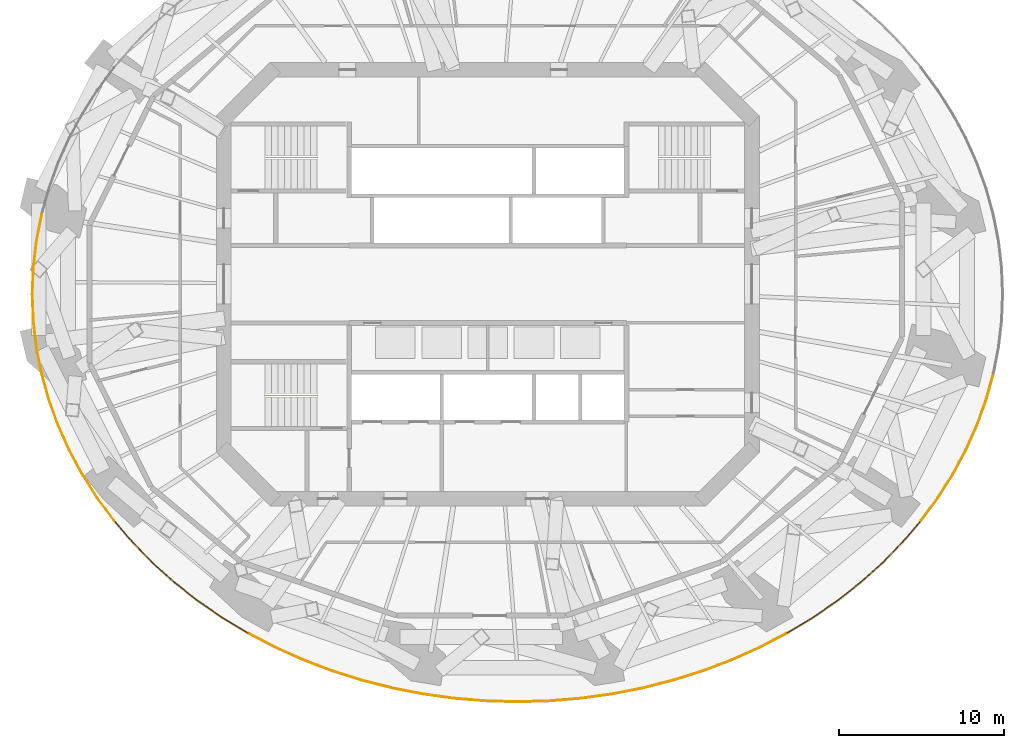
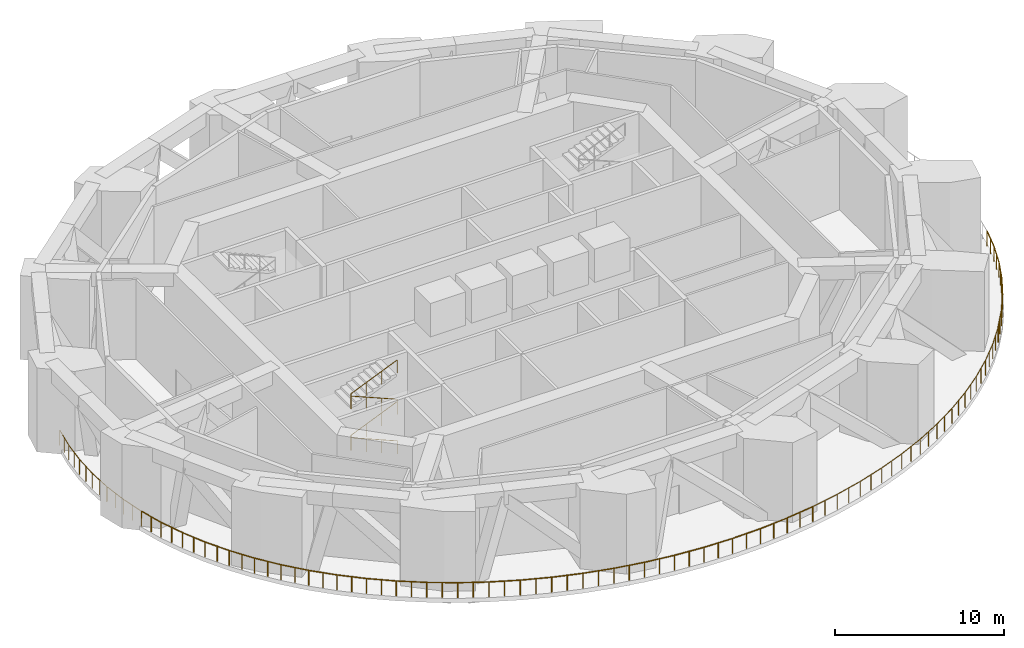
# One storey, part 8 of 11: 9 railings.
"""IFC4 building model written with IfcOpenShell, lengths in metres."""

import ifcopenshell
import ifcopenshell.guid

model = None  # the IFC model being written
_history = None  # IfcOwnerHistory: only IFC2X3 demands one
_inside = {}  # id of a spatial element -> (the spatial element, [elements in it])
_under = {}  # id of a project, library or spatial element -> (it, [spatial elements below it])
_declared = {}  # id of a project -> (the project, [libraries it declares])
_typed = {}  # id of a type object -> (the type object, [elements of that type])
_made_of = {}  # id of a material, layer set ... -> (it, [elements and type objects made of it])


def new_model(schema):
    """Start an empty IFC model of exactly this schema.

    Asked for "IFC4X3", IfcOpenShell would pick the latest addendum, in which some entities
    have other attributes; the version numbers below select the first issue.
    IFC2X3 requires an IfcOwnerHistory on every rooted entity: one is made here for all.
    """
    global model, _history
    if schema == "IFC4X3":
        model = ifcopenshell.file(schema_version=(4, 3, 0, 0))
    else:
        model = ifcopenshell.file(schema=schema)
    _inside.clear()
    _under.clear()
    _declared.clear()
    _typed.clear()
    _made_of.clear()
    _history = None
    if model.schema == "IFC2X3":
        org = make("IfcOrganization", Name="unknown")
        user = make(
            "IfcPersonAndOrganization",
            ThePerson=make("IfcPerson", FamilyName="unknown"),
            TheOrganization=org,
        )
        app = make(
            "IfcApplication",
            ApplicationDeveloper=org,
            Version="unknown",
            ApplicationFullName="unknown",
            ApplicationIdentifier="unknown",
        )
        _history = make(
            "IfcOwnerHistory",
            OwningUser=user,
            OwningApplication=app,
            ChangeAction="ADDED",
            CreationDate=0,
        )
    return model


def make(cls, **values):
    """One entity of the class cls with the attributes given. An attribute that is None is left unset."""
    return model.create_entity(
        cls, **{name: value for name, value in values.items() if value is not None}
    )


def rooted(cls, **values):
    """An entity with a GlobalId (a new one), such as an element, a storey or a relation."""
    return make(cls, GlobalId=ifcopenshell.guid.new(), OwnerHistory=_history, **values)


def si_unit(unit_type, name, prefix=None):
    """IfcSIUnit, for example si_unit("LENGTHUNIT", "METRE", prefix="MILLI")."""
    return make("IfcSIUnit", UnitType=unit_type, Prefix=prefix, Name=name)


def assignment(units):
    """IfcUnitAssignment: the units of a project."""
    return None if units is None else make("IfcUnitAssignment", Units=units)


def point(xyz):
    """IfcCartesianPoint."""
    return None if xyz is None else make("IfcCartesianPoint", Coordinates=xyz)


def direction(xyz):
    """IfcDirection."""
    return None if xyz is None else make("IfcDirection", DirectionRatios=xyz)


def frame(location, z_axis=None, x_axis=None):
    """IfcAxis2Placement3D, a coordinate frame: its origin and axes. An axis left out is left unset."""
    return make(
        "IfcAxis2Placement3D",
        Location=point(location),
        Axis=direction(z_axis),
        RefDirection=direction(x_axis),
    )


def frame_2d(location, x_axis=None):
    """IfcAxis2Placement2D, a coordinate frame in the plane: its origin and x axis."""
    return make(
        "IfcAxis2Placement2D", Location=point(location), RefDirection=direction(x_axis)
    )


def origin():
    """The frame at (0, 0, 0) with its axes left unset."""
    return frame((0.0, 0.0, 0.0))


def origin_2d():
    """The frame at (0, 0) in the plane with its x axis left unset."""
    return frame_2d((0.0, 0.0))


def place(relative_to, where):
    """IfcLocalPlacement: puts the frame where relative to a parent placement (None: the world)."""
    return make(
        "IfcLocalPlacement", PlacementRelTo=relative_to, RelativePlacement=where
    )


def context(
    kind, dimensions, precision=None, world=None, true_north=None, identifier=None
):
    """IfcGeometricRepresentationContext, for example the 3D "Model" context."""
    return make(
        "IfcGeometricRepresentationContext",
        ContextIdentifier=identifier,
        ContextType=kind,
        CoordinateSpaceDimension=dimensions,
        Precision=precision,
        WorldCoordinateSystem=world,
        TrueNorth=true_north,
    )


def subcontext(parent, identifier, kind, view, scale=None):
    """IfcGeometricRepresentationSubContext, for example "Body" below "Model"."""
    return make(
        "IfcGeometricRepresentationSubContext",
        ContextIdentifier=identifier,
        ContextType=kind,
        ParentContext=parent,
        TargetScale=scale,
        TargetView=view,
    )


def project(units=None, contexts=None):
    """IfcProject with its units and contexts."""
    return rooted(
        "IfcProject",
        Name="project",
        RepresentationContexts=contexts,
        UnitsInContext=assignment(units),
    )


def spatial(cls, under=None, at=None, **own):
    """A site, building, storey or space (cls), placed at a placement, below another one or the project."""
    s = rooted(cls, ObjectPlacement=at, **own)
    if under is not None:
        _under.setdefault(under.id(), (under, []))[1].append(s)
    return s


def profile(cls, at=None, kind="AREA", **sizes):
    """A parametric profile (cls). Its sizes go by their IFC names, for example OverallWidth=200.0."""
    return make(cls, ProfileType=kind, Position=at, **sizes)


def circle(**sizes):
    """IfcCircleProfileDef."""
    return profile("IfcCircleProfileDef", **sizes)


def extrude(swept, where, along, depth):
    """IfcExtrudedAreaSolid: the profile swept, set in the frame where, extruded along a direction by depth."""
    return make(
        "IfcExtrudedAreaSolid",
        SweptArea=swept,
        Position=where,
        ExtrudedDirection=direction(along),
        Depth=depth,
    )


def shape(context_of_items, identifier, shape_type, items):
    """IfcShapeRepresentation: the items that make up one representation, for example the "Body"."""
    return make(
        "IfcShapeRepresentation",
        ContextOfItems=context_of_items,
        RepresentationIdentifier=identifier,
        RepresentationType=shape_type,
        Items=items,
    )


def material(Name=None, Category=None):
    """IfcMaterial."""
    return make("IfcMaterial", Name=Name, Category=Category)


def made_of(thing, what):
    """Note that an element or type object is made of a material, layer set ...; save() writes the relation."""
    if what is not None:
        _made_of.setdefault(what.id(), (what, []))[1].append(thing)
    return thing


def type_object(cls, material=None, **own):
    """A type object (cls), such as IfcWallType, which elements share."""
    return made_of(rooted(cls, **own), material)


def element(
    cls,
    number,
    at=None,
    inside=None,
    cuts=None,
    type_object=None,
    material=None,
    context=None,
    identifier="Body",
    shape_type=None,
    held_by="IfcProductDefinitionShape",
    body=None,
    shapes=None,
    **own,
):
    """One element of the class cls, such as IfcWall. Its Tag is "e" and its number.

    at: its placement. inside: the storey or other place that contains it. cuts: it is an
    opening in that element (IfcRelVoidsElement). A single representation is given by context,
    identifier, shape_type and body (its items); several are given by shapes. held_by: the class
    of the entity that holds the representations. save() writes the other relations.
    """
    e = rooted(cls, Tag="e%d" % number, ObjectPlacement=at, **own)
    if body is not None:
        shapes = [shape(context, identifier, shape_type, body)]
    if shapes is not None:
        e.Representation = make(held_by, Representations=shapes)
    if inside is not None:
        _inside.setdefault(inside.id(), (inside, []))[1].append(e)
    if cuts is not None:
        rooted(
            "IfcRelVoidsElement", RelatingBuildingElement=cuts, RelatedOpeningElement=e
        )
    if type_object is not None:
        _typed.setdefault(type_object.id(), (type_object, []))[1].append(e)
    return made_of(e, material)


def aggregate(whole, parts):
    """IfcRelAggregates: a whole, such as a stair, and the parts it consists of."""
    return rooted("IfcRelAggregates", RelatingObject=whole, RelatedObjects=parts)


def save(model, path):
    """Write the relations noted so far, then the file.

    IfcRelAggregates (storeys below a building ...), IfcRelContainedInSpatialStructure (elements
    in a storey), IfcRelDefinesByType, IfcRelAssociatesMaterial and IfcRelDeclares: one each for
    every whole, place, type object, material and project.
    """
    for whole, parts in _under.values():
        aggregate(whole, parts)
    for where, things in _inside.values():
        rooted(
            "IfcRelContainedInSpatialStructure",
            RelatedElements=things,
            RelatingStructure=where,
        )
    for kind, things in _typed.values():
        rooted("IfcRelDefinesByType", RelatedObjects=things, RelatingType=kind)
    for what, things in _made_of.values():
        rooted("IfcRelAssociatesMaterial", RelatedObjects=things, RelatingMaterial=what)
    for by, libraries in _declared.values():
        rooted("IfcRelDeclares", RelatingContext=by, RelatedDefinitions=libraries)
    model.write(path)


model = new_model("IFC4")

# Units and contexts
model_context = context("Model", 3, precision=1e-05, world=origin(), true_north=direction((0.0, 1.0)))
body_context = subcontext(model_context, "Body", "Model", "MODEL_VIEW")
ifc_project = project(units=[si_unit("LENGTHUNIT", "METRE"), si_unit("AREAUNIT", "SQUARE_METRE"), si_unit("VOLUMEUNIT", "CUBIC_METRE"), si_unit("PLANEANGLEUNIT", "RADIAN"), si_unit("MASSUNIT", "GRAM", prefix="KILO")], contexts=[model_context])

# Site, building, storey
site_placement = place(None, origin())
site = spatial("IfcSite", under=ifc_project, at=site_placement, CompositionType="ELEMENT")
building_placement = place(site_placement, origin())
building = spatial("IfcBuilding", under=site, at=building_placement, Name="Marenthal Gate Tower", CompositionType="ELEMENT")
storey_placement = place(building_placement, frame((0.0, 0.0, 273.10009765625)))
storey = spatial("IfcBuildingStorey", under=building, at=storey_placement, Name="L61", CompositionType="ELEMENT", Elevation=273.10009765625)

# Railings
ifc_material_1 = material(Name="Stainless steel", Category="steel")
railing_type_1 = type_object("IfcRailingType", Name="Balcony guard 1100", PredefinedType="GUARDRAIL", material=ifc_material_1)
railing_1_placement = place(storey_placement, frame((-27.03662109375, 4.217529296875, 0.0)))
element("IfcRailing", 1, at=railing_1_placement, inside=storey, type_object=railing_type_1, Name="Refuge band guard L61 bay 8", PredefinedType="GUARDRAIL", context=body_context, shape_type="SweptSolid", body=[
    extrude(circle(Radius=0.02392578125, at=origin_2d()), frame((0.0, 0.0, 1.076171875), z_axis=(-0.19276338682, -0.981245268372, 0.0), x_axis=(0.981245268372, -0.19276338682, 0.0)), (0.0, 0.0, 1.0), 1.625),
    extrude(circle(Radius=0.02392578125, at=origin_2d()), frame((-0.313232421875, -1.594482421875, 1.076171875), z_axis=(-0.116255070657, -0.993219390944, 0.0), x_axis=(0.993219390944, -0.116255070657, 0.0)), (0.0, 0.0, 1.0), 1.619140625),
    extrude(circle(Radius=0.02392578125, at=origin_2d()), frame((-0.50146484375, -3.20263671875, 1.076171875), z_axis=(-0.038972636701, -0.999240278206, 0.0), x_axis=(0.999240278206, -0.038972636701, 0.0)), (0.0, 0.0, 1.0), 1.6162109375),
    extrude(circle(Radius=0.02392578125, at=origin_2d()), frame((-0.564453125, -4.817626953125, 1.076171875), z_axis=(0.038972636701, -0.999240278206, 0.0), x_axis=(0.999240278206, 0.038972636701, 0.0)), (0.0, 0.0, 1.0), 1.6162109375),
    extrude(circle(Radius=0.02392578125, at=origin_2d()), frame((-0.50146484375, -6.4326171875, 1.076171875), z_axis=(0.116255070657, -0.993219390944, 0.0), x_axis=(0.993219390944, 0.116255070657, 0.0)), (0.0, 0.0, 1.0), 1.619140625),
    extrude(circle(Radius=0.02392578125, at=origin_2d()), frame((-0.313232421875, -8.040771484375, 1.076171875), z_axis=(0.192791809355, -0.981239684402, 0.0), x_axis=(0.981239684402, 0.192791809355, 0.0)), (0.0, 0.0, 1.0), 1.624755859375),
    extrude(circle(Radius=0.02099609375, at=origin_2d()), origin(), (0.0, 0.0, 1.0), 1.052001953125),
    extrude(circle(Radius=0.02099609375, at=origin_2d()), frame((-0.15673828125, -0.79736328125, 0.0)), (0.0, 0.0, 1.0), 1.052001953125),
    extrude(circle(Radius=0.02099609375, at=origin_2d()), frame((-0.313232421875, -1.594482421875, 0.0)), (0.0, 0.0, 1.0), 1.052001953125),
    extrude(circle(Radius=0.02099609375, at=origin_2d()), frame((-0.4072265625, -2.3984375, 0.0)), (0.0, 0.0, 1.0), 1.052001953125),
    extrude(circle(Radius=0.02099609375, at=origin_2d()), frame((-0.50146484375, -3.20263671875, 0.0)), (0.0, 0.0, 1.0), 1.052001953125),
    extrude(circle(Radius=0.02099609375, at=origin_2d()), frame((-0.532958984375, -4.01025390625, 0.0)), (0.0, 0.0, 1.0), 1.052001953125),
    extrude(circle(Radius=0.02099609375, at=origin_2d()), frame((-0.564453125, -4.817626953125, 0.0)), (0.0, 0.0, 1.0), 1.052001953125),
    extrude(circle(Radius=0.02099609375, at=origin_2d()), frame((-0.532958984375, -5.625, 0.0)), (0.0, 0.0, 1.0), 1.052001953125),
    extrude(circle(Radius=0.02099609375, at=origin_2d()), frame((-0.50146484375, -6.4326171875, 0.0)), (0.0, 0.0, 1.0), 1.052001953125),
    extrude(circle(Radius=0.02099609375, at=origin_2d()), frame((-0.4072265625, -7.23681640625, 0.0)), (0.0, 0.0, 1.0), 1.052001953125),
    extrude(circle(Radius=0.02099609375, at=origin_2d()), frame((-0.313232421875, -8.040771484375, 0.0)), (0.0, 0.0, 1.0), 1.052001953125),
    extrude(circle(Radius=0.02099609375, at=origin_2d()), frame((-0.15673828125, -8.837890625, 0.0)), (0.0, 0.0, 1.0), 1.052001953125),
    extrude(circle(Radius=0.02099609375, at=origin_2d()), frame((0.0, -9.635009765625, 0.0)), (0.0, 0.0, 1.0), 1.052001953125),
])
railing_2_placement = place(storey_placement, frame((-27.03662109375, -5.41748046875, 0.0)))
element("IfcRailing", 2, at=railing_2_placement, inside=storey, type_object=railing_type_1, Name="Refuge band guard L61 bay 9", PredefinedType="GUARDRAIL", context=body_context, shape_type="SweptSolid", body=[
    extrude(circle(Radius=0.02392578125, at=origin_2d()), frame((0.0, 0.0, 1.076171875), z_axis=(0.267150361513, -0.963654857479, 0.0), x_axis=(0.963654857479, 0.267150361513, 0.0)), (0.0, 0.0, 1.0), 1.633056640625),
    extrude(circle(Radius=0.02392578125, at=origin_2d()), frame((0.436279296875, -1.57373046875, 1.076171875), z_axis=(0.339429181745, -0.940631612578, 0.0), x_axis=(0.940631612578, 0.339429181745, 0.0)), (0.0, 0.0, 1.0), 1.644287109375),
    extrude(circle(Radius=0.02392578125, at=origin_2d()), frame((0.994384765625, -3.120361328125, 1.076171875), z_axis=(0.408501723837, -0.912757548105, 0.0), x_axis=(0.912757548105, 0.408501723837, 0.0)), (0.0, 0.0, 1.0), 1.6572265625),
    extrude(circle(Radius=0.02392578125, at=origin_2d()), frame((1.67138671875, -4.633056640625, 1.076171875), z_axis=(0.474387041335, -0.880316383474, 0.0), x_axis=(0.880316383474, 0.474387041335, 0.0)), (0.0, 0.0, 1.0), 1.672607421875),
    extrude(circle(Radius=0.02392578125, at=origin_2d()), frame((2.46484375, -6.10546875, 1.076171875), z_axis=(0.536529496413, -0.843881567211, 0.0), x_axis=(0.843881567211, 0.536529496413, 0.0)), (0.0, 0.0, 1.0), 1.689453125),
    extrude(circle(Radius=0.02392578125, at=origin_2d()), frame((3.371337890625, -7.53125, 1.076171875), z_axis=(0.594588012237, -0.804030531575, 0.0), x_axis=(0.804030531575, 0.594588012237, 0.0)), (0.0, 0.0, 1.0), 1.707763671875),
    extrude(circle(Radius=0.02099609375, at=origin_2d()), origin(), (0.0, 0.0, 1.0), 1.052001953125),
    extrude(circle(Radius=0.02099609375, at=origin_2d()), frame((0.21826171875, -0.786865234375, 0.0)), (0.0, 0.0, 1.0), 1.052001953125),
    extrude(circle(Radius=0.02099609375, at=origin_2d()), frame((0.436279296875, -1.57373046875, 0.0)), (0.0, 0.0, 1.0), 1.052001953125),
    extrude(circle(Radius=0.02099609375, at=origin_2d()), frame((0.71533203125, -2.34716796875, 0.0)), (0.0, 0.0, 1.0), 1.052001953125),
    extrude(circle(Radius=0.02099609375, at=origin_2d()), frame((0.994384765625, -3.120361328125, 0.0)), (0.0, 0.0, 1.0), 1.052001953125),
    extrude(circle(Radius=0.02099609375, at=origin_2d()), frame((1.3330078125, -3.876708984375, 0.0)), (0.0, 0.0, 1.0), 1.052001953125),
    extrude(circle(Radius=0.02099609375, at=origin_2d()), frame((1.67138671875, -4.633056640625, 0.0)), (0.0, 0.0, 1.0), 1.052001953125),
    extrude(circle(Radius=0.02099609375, at=origin_2d()), frame((2.068115234375, -5.369140625, 0.0)), (0.0, 0.0, 1.0), 1.052001953125),
    extrude(circle(Radius=0.02099609375, at=origin_2d()), frame((2.46484375, -6.10546875, 0.0)), (0.0, 0.0, 1.0), 1.052001953125),
    extrude(circle(Radius=0.02099609375, at=origin_2d()), frame((2.91796875, -6.818359375, 0.0)), (0.0, 0.0, 1.0), 1.052001953125),
    extrude(circle(Radius=0.02099609375, at=origin_2d()), frame((3.371337890625, -7.53125, 0.0)), (0.0, 0.0, 1.0), 1.052001953125),
    extrude(circle(Radius=0.02099609375, at=origin_2d()), frame((3.87890625, -8.2177734375, 0.0)), (0.0, 0.0, 1.0), 1.052001953125),
    extrude(circle(Radius=0.02099609375, at=origin_2d()), frame((4.38671875, -8.904296875, 0.0)), (0.0, 0.0, 1.0), 1.052001953125),
])
railing_3_placement = place(storey_placement, frame((-22.64990234375, -14.32177734375, 0.0)))
element("IfcRailing", 3, at=railing_3_placement, inside=storey, type_object=railing_type_1, Name="Refuge band guard L61 bay 10", PredefinedType="GUARDRAIL", context=body_context, shape_type="SweptSolid", body=[
    extrude(circle(Radius=0.02392578125, at=origin_2d()), frame((0.0, 0.0, 1.076171875), z_axis=(0.648669742199, -0.76107001357, 0.0), x_axis=(0.76107001357, 0.648669742199, 0.0)), (0.0, 0.0, 1.0), 1.726806640625),
    extrude(circle(Radius=0.02392578125, at=origin_2d()), frame((1.1201171875, -1.314208984375, 1.076171875), z_axis=(0.698460052114, -0.715649044994, 0.0), x_axis=(0.715649044994, 0.698460052114, 0.0)), (0.0, 0.0, 1.0), 1.7470703125),
    extrude(circle(Radius=0.02392578125, at=origin_2d()), frame((2.34033203125, -2.564453125, 1.076171875), z_axis=(0.744145420954, -0.668017658803, 0.0), x_axis=(0.668017658803, 0.744145420954, 0.0)), (0.0, 0.0, 1.0), 1.76708984375),
    extrude(circle(Radius=0.02392578125, at=origin_2d()), frame((3.6552734375, -3.744873046875, 1.076171875), z_axis=(0.785644616211, -0.618678056035, 0.0), x_axis=(0.618678056035, 0.785644616211, 0.0)), (0.0, 0.0, 1.0), 1.786865234375),
    extrude(circle(Radius=0.02392578125, at=origin_2d()), frame((5.05908203125, -4.850341796875, 1.076171875), z_axis=(0.823047274308, -0.567972872815, 0.0), x_axis=(0.567972872815, 0.823047274308, 0.0)), (0.0, 0.0, 1.0), 1.80712890625),
    extrude(circle(Radius=0.02392578125, at=origin_2d()), frame((6.54638671875, -5.876708984375, 1.076171875), z_axis=(0.856524003828, -0.516107189319, 0.0), x_axis=(0.516107189319, 0.856524003828, 0.0)), (0.0, 0.0, 1.0), 1.825927734375),
    extrude(circle(Radius=0.02099609375, at=origin_2d()), origin(), (0.0, 0.0, 1.0), 1.052001953125),
    extrude(circle(Radius=0.02099609375, at=origin_2d()), frame((0.56005859375, -0.6572265625, 0.0)), (0.0, 0.0, 1.0), 1.052001953125),
    extrude(circle(Radius=0.02099609375, at=origin_2d()), frame((1.1201171875, -1.314208984375, 0.0)), (0.0, 0.0, 1.0), 1.052001953125),
    extrude(circle(Radius=0.02099609375, at=origin_2d()), frame((1.730224609375, -1.939453125, 0.0)), (0.0, 0.0, 1.0), 1.052001953125),
    extrude(circle(Radius=0.02099609375, at=origin_2d()), frame((2.34033203125, -2.564453125, 0.0)), (0.0, 0.0, 1.0), 1.052001953125),
    extrude(circle(Radius=0.02099609375, at=origin_2d()), frame((2.997802734375, -3.15478515625, 0.0)), (0.0, 0.0, 1.0), 1.052001953125),
    extrude(circle(Radius=0.02099609375, at=origin_2d()), frame((3.6552734375, -3.744873046875, 0.0)), (0.0, 0.0, 1.0), 1.052001953125),
    extrude(circle(Radius=0.02099609375, at=origin_2d()), frame((4.357177734375, -4.297607421875, 0.0)), (0.0, 0.0, 1.0), 1.052001953125),
    extrude(circle(Radius=0.02099609375, at=origin_2d()), frame((5.05908203125, -4.850341796875, 0.0)), (0.0, 0.0, 1.0), 1.052001953125),
    extrude(circle(Radius=0.02099609375, at=origin_2d()), frame((5.802734375, -5.363525390625, 0.0)), (0.0, 0.0, 1.0), 1.052001953125),
    extrude(circle(Radius=0.02099609375, at=origin_2d()), frame((6.54638671875, -5.876708984375, 0.0)), (0.0, 0.0, 1.0), 1.052001953125),
    extrude(circle(Radius=0.02099609375, at=origin_2d()), frame((7.328369140625, -6.347900390625, 0.0)), (0.0, 0.0, 1.0), 1.052001953125),
    extrude(circle(Radius=0.02099609375, at=origin_2d()), frame((8.1103515625, -6.819091796875, 0.0)), (0.0, 0.0, 1.0), 1.052001953125),
])
railing_4_placement = place(storey_placement, frame((-14.53955078125, -21.140869140625, 0.0)))
element("IfcRailing", 4, at=railing_4_placement, inside=storey, type_object=railing_type_1, Name="Refuge band guard L61 bay 11", PredefinedType="GUARDRAIL", context=body_context, shape_type="SweptSolid", body=[
    extrude(circle(Radius=0.02392578125, at=origin_2d()), frame((0.0, 0.0, 1.076171875), z_axis=(0.886204440457, -0.463294387742, 0.0), x_axis=(0.463294387742, 0.886204440457, 0.0)), (0.0, 0.0, 1.0), 1.84375),
    extrude(circle(Radius=0.02392578125, at=origin_2d()), frame((1.634033203125, -0.854248046875, 1.076171875), z_axis=(0.912115369932, -0.409933594543, 0.0), x_axis=(0.409933594543, 0.912115369932, 0.0)), (0.0, 0.0, 1.0), 1.860595703125),
    extrude(circle(Radius=0.02392578125, at=origin_2d()), frame((3.3310546875, -1.616943359375, 1.076171875), z_axis=(0.93449804368, -0.355968265942, 0.0), x_axis=(0.355968265942, 0.93449804368, 0.0)), (0.0, 0.0, 1.0), 1.875732421875),
    extrude(circle(Radius=0.02392578125, at=origin_2d()), frame((5.083984375, -2.28466796875, 1.076171875), z_axis=(0.953381272328, -0.301768370731, 0.0), x_axis=(0.301768370731, 0.953381272328, 0.0)), (0.0, 0.0, 1.0), 1.88916015625),
    extrude(circle(Radius=0.02392578125, at=origin_2d()), frame((6.885009765625, -2.854736328125, 1.076171875), z_axis=(0.968991024399, -0.247095921928, 0.0), x_axis=(0.247095921928, 0.968991024399, 0.0)), (0.0, 0.0, 1.0), 1.90087890625),
    extrude(circle(Radius=0.02392578125, at=origin_2d()), frame((8.72705078125, -3.324462890625, 1.076171875), z_axis=(0.981320847829, -0.192378256608, 0.0), x_axis=(0.192378256608, 0.981320847829, 0.0)), (0.0, 0.0, 1.0), 1.909912109375),
    extrude(circle(Radius=0.02099609375, at=origin_2d()), origin(), (0.0, 0.0, 1.0), 1.052001953125),
    extrude(circle(Radius=0.02099609375, at=origin_2d()), frame((0.81689453125, -0.42724609375, 0.0)), (0.0, 0.0, 1.0), 1.052001953125),
    extrude(circle(Radius=0.02099609375, at=origin_2d()), frame((1.634033203125, -0.854248046875, 0.0)), (0.0, 0.0, 1.0), 1.052001953125),
    extrude(circle(Radius=0.02099609375, at=origin_2d()), frame((2.482421875, -1.235595703125, 0.0)), (0.0, 0.0, 1.0), 1.052001953125),
    extrude(circle(Radius=0.02099609375, at=origin_2d()), frame((3.3310546875, -1.616943359375, 0.0)), (0.0, 0.0, 1.0), 1.052001953125),
    extrude(circle(Radius=0.02099609375, at=origin_2d()), frame((4.20751953125, -1.95068359375, 0.0)), (0.0, 0.0, 1.0), 1.052001953125),
    extrude(circle(Radius=0.02099609375, at=origin_2d()), frame((5.083984375, -2.28466796875, 0.0)), (0.0, 0.0, 1.0), 1.052001953125),
    extrude(circle(Radius=0.02099609375, at=origin_2d()), frame((5.984375, -2.56982421875, 0.0)), (0.0, 0.0, 1.0), 1.052001953125),
    extrude(circle(Radius=0.02099609375, at=origin_2d()), frame((6.885009765625, -2.854736328125, 0.0)), (0.0, 0.0, 1.0), 1.052001953125),
    extrude(circle(Radius=0.02099609375, at=origin_2d()), frame((7.80615234375, -3.089599609375, 0.0)), (0.0, 0.0, 1.0), 1.052001953125),
    extrude(circle(Radius=0.02099609375, at=origin_2d()), frame((8.72705078125, -3.324462890625, 0.0)), (0.0, 0.0, 1.0), 1.052001953125),
    extrude(circle(Radius=0.02099609375, at=origin_2d()), frame((9.6640625, -3.50830078125, 0.0)), (0.0, 0.0, 1.0), 1.052001953125),
    extrude(circle(Radius=0.02099609375, at=origin_2d()), frame((10.601318359375, -3.69189453125, 0.0)), (0.0, 0.0, 1.0), 1.052001953125),
])
railing_5_placement = place(storey_placement, frame((-3.938232421875, -24.832763671875, 0.0)))
element("IfcRailing", 5, at=railing_5_placement, inside=storey, type_object=railing_type_1, Name="Refuge band guard L61 bay 12", PredefinedType="GUARDRAIL", context=body_context, shape_type="SweptSolid", body=[
    extrude(circle(Radius=0.02392578125, at=origin_2d()), frame((0.0, 0.0, 1.076171875), z_axis=(0.99049709263, -0.137533666758, 0.0), x_axis=(0.137533666758, 0.99049709263, 0.0)), (0.0, 0.0, 1.0), 1.917236328125),
    extrude(circle(Radius=0.02392578125, at=origin_2d()), frame((1.89892578125, -0.263671875, 1.076171875), z_axis=(0.996585936406, -0.082561924377, 0.0), x_axis=(0.082561924377, 0.996585936406, 0.0)), (0.0, 0.0, 1.0), 1.922119140625),
    extrude(circle(Radius=0.02392578125, at=origin_2d()), frame((3.814453125, -0.42236328125, 1.076171875), z_axis=(0.999621042843, -0.027527635317, 0.0), x_axis=(0.027527635317, 0.999621042843, 0.0)), (0.0, 0.0, 1.0), 1.924560546875),
    extrude(circle(Radius=0.02392578125, at=origin_2d()), frame((5.73828125, -0.475341796875, 1.076171875), z_axis=(0.999620946697, 0.027531126467, 0.0), x_axis=(-0.027531126467, 0.999620946697, 0.0)), (0.0, 0.0, 1.0), 1.92431640625),
    extrude(circle(Radius=0.02392578125, at=origin_2d()), frame((7.661865234375, -0.42236328125, 1.076171875), z_axis=(0.996585936406, 0.082561924377, 0.0), x_axis=(-0.082561924377, 0.996585936406, 0.0)), (0.0, 0.0, 1.0), 1.922119140625),
    extrude(circle(Radius=0.02392578125, at=origin_2d()), frame((9.577392578125, -0.263671875, 1.076171875), z_axis=(0.990499500988, 0.137516321001, 0.0), x_axis=(-0.137516321001, 0.990499500988, 0.0)), (0.0, 0.0, 1.0), 1.91748046875),
    extrude(circle(Radius=0.02099609375, at=origin_2d()), origin(), (0.0, 0.0, 1.0), 1.052001953125),
    extrude(circle(Radius=0.02099609375, at=origin_2d()), frame((0.949462890625, -0.1318359375, 0.0)), (0.0, 0.0, 1.0), 1.052001953125),
    extrude(circle(Radius=0.02099609375, at=origin_2d()), frame((1.89892578125, -0.263671875, 0.0)), (0.0, 0.0, 1.0), 1.052001953125),
    extrude(circle(Radius=0.02099609375, at=origin_2d()), frame((2.856689453125, -0.343017578125, 0.0)), (0.0, 0.0, 1.0), 1.052001953125),
    extrude(circle(Radius=0.02099609375, at=origin_2d()), frame((3.814453125, -0.42236328125, 0.0)), (0.0, 0.0, 1.0), 1.052001953125),
    extrude(circle(Radius=0.02099609375, at=origin_2d()), frame((4.7763671875, -0.44873046875, 0.0)), (0.0, 0.0, 1.0), 1.052001953125),
    extrude(circle(Radius=0.02099609375, at=origin_2d()), frame((5.73828125, -0.475341796875, 0.0)), (0.0, 0.0, 1.0), 1.052001953125),
    extrude(circle(Radius=0.02099609375, at=origin_2d()), frame((6.7001953125, -0.44873046875, 0.0)), (0.0, 0.0, 1.0), 1.052001953125),
    extrude(circle(Radius=0.02099609375, at=origin_2d()), frame((7.661865234375, -0.42236328125, 0.0)), (0.0, 0.0, 1.0), 1.052001953125),
    extrude(circle(Radius=0.02099609375, at=origin_2d()), frame((8.61962890625, -0.343017578125, 0.0)), (0.0, 0.0, 1.0), 1.052001953125),
    extrude(circle(Radius=0.02099609375, at=origin_2d()), frame((9.577392578125, -0.263671875, 0.0)), (0.0, 0.0, 1.0), 1.052001953125),
    extrude(circle(Radius=0.02099609375, at=origin_2d()), frame((10.52685546875, -0.1318359375, 0.0)), (0.0, 0.0, 1.0), 1.052001953125),
    extrude(circle(Radius=0.02099609375, at=origin_2d()), frame((11.4765625, 0.0, 0.0)), (0.0, 0.0, 1.0), 1.052001953125),
])
railing_6_placement = place(storey_placement, frame((7.538330078125, -24.832763671875, 0.0)))
element("IfcRailing", 6, at=railing_6_placement, inside=storey, type_object=railing_type_1, Name="Refuge band guard L61 bay 13", PredefinedType="GUARDRAIL", context=body_context, shape_type="SweptSolid", body=[
    extrude(circle(Radius=0.02392578125, at=origin_2d()), frame((0.0, 0.0, 1.076171875), z_axis=(0.981320847829, 0.192378256608, 0.0), x_axis=(-0.192378256608, 0.981320847829, 0.0)), (0.0, 0.0, 1.0), 1.909912109375),
    extrude(circle(Radius=0.02392578125, at=origin_2d()), frame((1.874267578125, 0.367431640625, 1.076171875), z_axis=(0.968983181571, 0.247126675682, 0.0), x_axis=(-0.247126675682, 0.968983181571, 0.0)), (0.0, 0.0, 1.0), 1.900634765625),
    extrude(circle(Radius=0.02392578125, at=origin_2d()), frame((3.716064453125, 0.837158203125, 1.076171875), z_axis=(0.95339303901, 0.30173119356, 0.0), x_axis=(-0.30173119356, 0.95339303901, 0.0)), (0.0, 0.0, 1.0), 1.889404296875),
    extrude(circle(Radius=0.02392578125, at=origin_2d()), frame((5.517333984375, 1.4072265625, 1.076171875), z_axis=(0.93448154855, 0.356011566414, 0.0), x_axis=(-0.356011566414, 0.93448154855, 0.0)), (0.0, 0.0, 1.0), 1.87548828125),
    extrude(circle(Radius=0.02392578125, at=origin_2d()), frame((7.27001953125, 2.074951171875, 1.076171875), z_axis=(0.912137417035, 0.409884535503, 0.0), x_axis=(-0.409884535503, 0.912137417035, 0.0)), (0.0, 0.0, 1.0), 1.86083984375),
    extrude(circle(Radius=0.02392578125, at=origin_2d()), frame((8.96728515625, 2.837646484375, 1.076171875), z_axis=(0.886204440457, 0.463294387742, 0.0), x_axis=(-0.463294387742, 0.886204440457, 0.0)), (0.0, 0.0, 1.0), 1.84375),
    extrude(circle(Radius=0.02099609375, at=origin_2d()), origin(), (0.0, 0.0, 1.0), 1.052001953125),
    extrude(circle(Radius=0.02099609375, at=origin_2d()), frame((0.93701171875, 0.18359375, 0.0)), (0.0, 0.0, 1.0), 1.052001953125),
    extrude(circle(Radius=0.02099609375, at=origin_2d()), frame((1.874267578125, 0.367431640625, 0.0)), (0.0, 0.0, 1.0), 1.052001953125),
    extrude(circle(Radius=0.02099609375, at=origin_2d()), frame((2.795166015625, 0.602294921875, 0.0)), (0.0, 0.0, 1.0), 1.052001953125),
    extrude(circle(Radius=0.02099609375, at=origin_2d()), frame((3.716064453125, 0.837158203125, 0.0)), (0.0, 0.0, 1.0), 1.052001953125),
    extrude(circle(Radius=0.02099609375, at=origin_2d()), frame((4.61669921875, 1.1220703125, 0.0)), (0.0, 0.0, 1.0), 1.052001953125),
    extrude(circle(Radius=0.02099609375, at=origin_2d()), frame((5.517333984375, 1.4072265625, 0.0)), (0.0, 0.0, 1.0), 1.052001953125),
    extrude(circle(Radius=0.02099609375, at=origin_2d()), frame((6.3935546875, 1.7412109375, 0.0)), (0.0, 0.0, 1.0), 1.052001953125),
    extrude(circle(Radius=0.02099609375, at=origin_2d()), frame((7.27001953125, 2.074951171875, 0.0)), (0.0, 0.0, 1.0), 1.052001953125),
    extrude(circle(Radius=0.02099609375, at=origin_2d()), frame((8.11865234375, 2.456298828125, 0.0)), (0.0, 0.0, 1.0), 1.052001953125),
    extrude(circle(Radius=0.02099609375, at=origin_2d()), frame((8.96728515625, 2.837646484375, 0.0)), (0.0, 0.0, 1.0), 1.052001953125),
    extrude(circle(Radius=0.02099609375, at=origin_2d()), frame((9.7841796875, 3.2646484375, 0.0)), (0.0, 0.0, 1.0), 1.052001953125),
    extrude(circle(Radius=0.02099609375, at=origin_2d()), frame((10.601318359375, 3.69189453125, 0.0)), (0.0, 0.0, 1.0), 1.052001953125),
])
railing_7_placement = place(storey_placement, frame((18.1396484375, -21.140869140625, 0.0)))
element("IfcRailing", 7, at=railing_7_placement, inside=storey, type_object=railing_type_1, Name="Refuge band guard L61 bay 14", PredefinedType="GUARDRAIL", context=body_context, shape_type="SweptSolid", body=[
    extrude(circle(Radius=0.02392578125, at=origin_2d()), frame((0.0, 0.0, 1.076171875), z_axis=(0.856524003828, 0.516107189319, 0.0), x_axis=(-0.516107189319, 0.856524003828, 0.0)), (0.0, 0.0, 1.0), 1.825927734375),
    extrude(circle(Radius=0.02392578125, at=origin_2d()), frame((1.56396484375, 0.9423828125, 1.076171875), z_axis=(0.823003683741, 0.568036034551, 0.0), x_axis=(-0.568036034551, 0.823003683741, 0.0)), (0.0, 0.0, 1.0), 1.806884765625),
    extrude(circle(Radius=0.02392578125, at=origin_2d()), frame((3.051025390625, 1.96875, 1.076171875), z_axis=(0.785696906108, 0.618611648558, 0.0), x_axis=(-0.618611648558, 0.785696906108, 0.0)), (0.0, 0.0, 1.0), 1.787109375),
    extrude(circle(Radius=0.02392578125, at=origin_2d()), frame((4.455078125, 3.07421875, 1.076171875), z_axis=(0.744145420954, 0.668017658803, 0.0), x_axis=(-0.668017658803, 0.744145420954, 0.0)), (0.0, 0.0, 1.0), 1.76708984375),
    extrude(circle(Radius=0.02392578125, at=origin_2d()), frame((5.77001953125, 4.254638671875, 1.076171875), z_axis=(0.698388469246, 0.715718901542, 0.0), x_axis=(-0.715718901542, 0.698388469246, 0.0)), (0.0, 0.0, 1.0), 1.746826171875),
    extrude(circle(Radius=0.02392578125, at=origin_2d()), frame((6.989990234375, 5.5048828125, 1.076171875), z_axis=(0.648751624438, 0.761000216681, 0.0), x_axis=(-0.761000216681, 0.648751624438, 0.0)), (0.0, 0.0, 1.0), 1.72705078125),
    extrude(circle(Radius=0.02099609375, at=origin_2d()), origin(), (0.0, 0.0, 1.0), 1.052001953125),
    extrude(circle(Radius=0.02099609375, at=origin_2d()), frame((0.781982421875, 0.47119140625, 0.0)), (0.0, 0.0, 1.0), 1.052001953125),
    extrude(circle(Radius=0.02099609375, at=origin_2d()), frame((1.56396484375, 0.9423828125, 0.0)), (0.0, 0.0, 1.0), 1.052001953125),
    extrude(circle(Radius=0.02099609375, at=origin_2d()), frame((2.3076171875, 1.45556640625, 0.0)), (0.0, 0.0, 1.0), 1.052001953125),
    extrude(circle(Radius=0.02099609375, at=origin_2d()), frame((3.051025390625, 1.96875, 0.0)), (0.0, 0.0, 1.0), 1.052001953125),
    extrude(circle(Radius=0.02099609375, at=origin_2d()), frame((3.7529296875, 2.521484375, 0.0)), (0.0, 0.0, 1.0), 1.052001953125),
    extrude(circle(Radius=0.02099609375, at=origin_2d()), frame((4.455078125, 3.07421875, 0.0)), (0.0, 0.0, 1.0), 1.052001953125),
    extrude(circle(Radius=0.02099609375, at=origin_2d()), frame((5.112548828125, 3.66455078125, 0.0)), (0.0, 0.0, 1.0), 1.052001953125),
    extrude(circle(Radius=0.02099609375, at=origin_2d()), frame((5.77001953125, 4.254638671875, 0.0)), (0.0, 0.0, 1.0), 1.052001953125),
    extrude(circle(Radius=0.02099609375, at=origin_2d()), frame((6.3798828125, 4.8798828125, 0.0)), (0.0, 0.0, 1.0), 1.052001953125),
    extrude(circle(Radius=0.02099609375, at=origin_2d()), frame((6.989990234375, 5.5048828125, 0.0)), (0.0, 0.0, 1.0), 1.052001953125),
    extrude(circle(Radius=0.02099609375, at=origin_2d()), frame((7.55029296875, 6.162109375, 0.0)), (0.0, 0.0, 1.0), 1.052001953125),
    extrude(circle(Radius=0.02099609375, at=origin_2d()), frame((8.1103515625, 6.819091796875, 0.0)), (0.0, 0.0, 1.0), 1.052001953125),
])
railing_8_placement = place(storey_placement, frame((26.25, -14.32177734375, 0.0)))
element("IfcRailing", 8, at=railing_8_placement, inside=storey, type_object=railing_type_1, Name="Refuge band guard L61 bay 15", PredefinedType="GUARDRAIL", context=body_context, shape_type="SweptSolid", body=[
    extrude(circle(Radius=0.02392578125, at=origin_2d()), frame((0.0, 0.0, 1.076171875), z_axis=(0.594588012237, 0.804030531575, 0.0), x_axis=(-0.804030531575, 0.594588012237, 0.0)), (0.0, 0.0, 1.0), 1.707763671875),
    extrude(circle(Radius=0.02392578125, at=origin_2d()), frame((1.015380859375, 1.373046875, 1.076171875), z_axis=(0.536426580588, 0.843946991012, 0.0), x_axis=(-0.843946991012, 0.536426580588, 0.0)), (0.0, 0.0, 1.0), 1.689453125),
    extrude(circle(Radius=0.02392578125, at=origin_2d()), frame((1.921630859375, 2.798828125, 1.076171875), z_axis=(0.474387041335, 0.880316383474, 0.0), x_axis=(-0.880316383474, 0.474387041335, 0.0)), (0.0, 0.0, 1.0), 1.672607421875),
    extrude(circle(Radius=0.02392578125, at=origin_2d()), frame((2.715087890625, 4.271240234375, 1.076171875), z_axis=(0.408624443933, 0.912702615215, 0.0), x_axis=(-0.912702615215, 0.408624443933, 0.0)), (0.0, 0.0, 1.0), 1.657470703125),
    extrude(circle(Radius=0.02392578125, at=origin_2d()), frame((3.392333984375, 5.783935546875, 1.076171875), z_axis=(0.339297797006, 0.940679012707, 0.0), x_axis=(-0.940679012707, 0.339297797006, 0.0)), (0.0, 0.0, 1.0), 1.64404296875),
    extrude(circle(Radius=0.02392578125, at=origin_2d()), frame((3.9501953125, 7.33056640625, 1.076171875), z_axis=(0.267289180293, 0.963616362511, 0.0), x_axis=(-0.963616362511, 0.267289180293, 0.0)), (0.0, 0.0, 1.0), 1.633056640625),
    extrude(circle(Radius=0.02099609375, at=origin_2d()), origin(), (0.0, 0.0, 1.0), 1.052001953125),
    extrude(circle(Radius=0.02099609375, at=origin_2d()), frame((0.5078125, 0.6865234375, 0.0)), (0.0, 0.0, 1.0), 1.052001953125),
    extrude(circle(Radius=0.02099609375, at=origin_2d()), frame((1.015380859375, 1.373046875, 0.0)), (0.0, 0.0, 1.0), 1.052001953125),
    extrude(circle(Radius=0.02099609375, at=origin_2d()), frame((1.468505859375, 2.0859375, 0.0)), (0.0, 0.0, 1.0), 1.052001953125),
    extrude(circle(Radius=0.02099609375, at=origin_2d()), frame((1.921630859375, 2.798828125, 0.0)), (0.0, 0.0, 1.0), 1.052001953125),
    extrude(circle(Radius=0.02099609375, at=origin_2d()), frame((2.318359375, 3.53515625, 0.0)), (0.0, 0.0, 1.0), 1.052001953125),
    extrude(circle(Radius=0.02099609375, at=origin_2d()), frame((2.715087890625, 4.271240234375, 0.0)), (0.0, 0.0, 1.0), 1.052001953125),
    extrude(circle(Radius=0.02099609375, at=origin_2d()), frame((3.0537109375, 5.027587890625, 0.0)), (0.0, 0.0, 1.0), 1.052001953125),
    extrude(circle(Radius=0.02099609375, at=origin_2d()), frame((3.392333984375, 5.783935546875, 0.0)), (0.0, 0.0, 1.0), 1.052001953125),
    extrude(circle(Radius=0.02099609375, at=origin_2d()), frame((3.67138671875, 6.55712890625, 0.0)), (0.0, 0.0, 1.0), 1.052001953125),
    extrude(circle(Radius=0.02099609375, at=origin_2d()), frame((3.9501953125, 7.33056640625, 0.0)), (0.0, 0.0, 1.0), 1.052001953125),
    extrude(circle(Radius=0.02099609375, at=origin_2d()), frame((4.16845703125, 8.117431640625, 0.0)), (0.0, 0.0, 1.0), 1.052001953125),
    extrude(circle(Radius=0.02099609375, at=origin_2d()), frame((4.38671875, 8.904296875, 0.0)), (0.0, 0.0, 1.0), 1.052001953125),
])
ifc_material_2 = material(Name="Stainless steel", Category="steel")
railing_type_2 = type_object("IfcRailingType", Name="Stair handrail", PredefinedType="HANDRAIL", material=ifc_material_2)
railing_9_placement = place(storey_placement, frame((-10.35009765625, -6.72509765625, 0.16650390625)))
element("IfcRailing", 9, at=railing_9_placement, inside=storey, type_object=railing_type_2, Name="Handrail ST2", PredefinedType="HANDRAIL", context=body_context, shape_type="SweptSolid", body=[
    extrude(circle(Radius=0.0224609375, at=origin_2d()), frame((0.0, 0.0, 0.927490234375), z_axis=(-0.920856868591, 0.0, 0.389900791957), x_axis=(0.0, -1.0, 0.0)), (0.0, 0.0, 1.0), 3.420166015625),
    extrude(circle(Radius=0.0224609375, at=origin_2d()), frame((-3.1494140625, 0.0, 2.260986328125), z_axis=(0.0, 0.0, 1.0), x_axis=(1.0, 0.0, 0.0)), (0.0, 0.0, 1.0), 0.16650390625),
    extrude(circle(Radius=0.0224609375, at=origin_2d()), frame((-3.1494140625, 0.0, 2.427490234375), z_axis=(0.920856868591, 0.0, 0.389900791957), x_axis=(0.0, 1.0, 0.0)), (0.0, 0.0, 1.0), 3.420166015625),
    extrude(circle(Radius=0.0224609375, at=origin_2d()), frame((0.0, 0.0, 3.760986328125), z_axis=(0.0, 0.0, 1.0), x_axis=(1.0, 0.0, 0.0)), (0.0, 0.0, 1.0), 0.16650390625),
    extrude(circle(Radius=0.0224609375, at=origin_2d()), frame((0.0, 0.0, 3.927490234375), z_axis=(-0.920856868591, 0.0, 0.389900791957), x_axis=(0.0, -1.0, 0.0)), (0.0, 0.0, 1.0), 3.420166015625),
    extrude(circle(Radius=0.0224609375, at=origin_2d()), frame((-3.1494140625, 0.0, 5.260986328125), z_axis=(0.0, 0.0, 1.0), x_axis=(1.0, 0.0, 0.0)), (0.0, 0.0, 1.0), 0.16650390625),
    extrude(circle(Radius=0.0224609375, at=origin_2d()), frame((-3.1494140625, 0.0, 5.427490234375), z_axis=(0.920856868591, 0.0, 0.389900791957), x_axis=(0.0, 1.0, 0.0)), (0.0, 0.0, 1.0), 3.420166015625),
    extrude(circle(Radius=0.02001953125, at=origin_2d()), origin(), (0.0, 0.0, 1.0), 0.905029296875),
    extrude(circle(Radius=0.02001953125, at=origin_2d()), frame((-1.0498046875, 0.0, 0.444580078125)), (0.0, 0.0, 1.0), 0.905029296875),
    extrude(circle(Radius=0.02001953125, at=origin_2d()), frame((-2.099609375, 0.0, 0.888916015625)), (0.0, 0.0, 1.0), 0.905029296875),
    extrude(circle(Radius=0.02001953125, at=origin_2d()), frame((-3.1494140625, 0.0, 1.33349609375)), (0.0, 0.0, 1.0), 0.905029296875),
    extrude(circle(Radius=0.02001953125, at=origin_2d()), frame((-3.1494140625, 0.0, 1.5)), (0.0, 0.0, 1.0), 0.905029296875),
    extrude(circle(Radius=0.02001953125, at=origin_2d()), frame((-2.099609375, 0.0, 1.944580078125)), (0.0, 0.0, 1.0), 0.905029296875),
    extrude(circle(Radius=0.02001953125, at=origin_2d()), frame((-1.0498046875, 0.0, 2.388916015625)), (0.0, 0.0, 1.0), 0.905029296875),
    extrude(circle(Radius=0.02001953125, at=origin_2d()), frame((0.0, 0.0, 2.83349609375)), (0.0, 0.0, 1.0), 0.905029296875),
    extrude(circle(Radius=0.02001953125, at=origin_2d()), frame((0.0, 0.0, 3.0)), (0.0, 0.0, 1.0), 0.905029296875),
    extrude(circle(Radius=0.02001953125, at=origin_2d()), frame((-1.0498046875, 0.0, 3.444580078125)), (0.0, 0.0, 1.0), 0.905029296875),
    extrude(circle(Radius=0.02001953125, at=origin_2d()), frame((-2.099609375, 0.0, 3.888916015625)), (0.0, 0.0, 1.0), 0.905029296875),
    extrude(circle(Radius=0.02001953125, at=origin_2d()), frame((-3.1494140625, 0.0, 4.33349609375)), (0.0, 0.0, 1.0), 0.905029296875),
    extrude(circle(Radius=0.02001953125, at=origin_2d()), frame((-3.1494140625, 0.0, 4.5)), (0.0, 0.0, 1.0), 0.905029296875),
    extrude(circle(Radius=0.02001953125, at=origin_2d()), frame((-2.099609375, 0.0, 4.944580078125)), (0.0, 0.0, 1.0), 0.905029296875),
    extrude(circle(Radius=0.02001953125, at=origin_2d()), frame((-1.0498046875, 0.0, 5.388916015625)), (0.0, 0.0, 1.0), 0.905029296875),
    extrude(circle(Radius=0.02001953125, at=origin_2d()), frame((0.0, 0.0, 5.83349609375)), (0.0, 0.0, 1.0), 0.905029296875),
])

save(model, "model.ifc")
